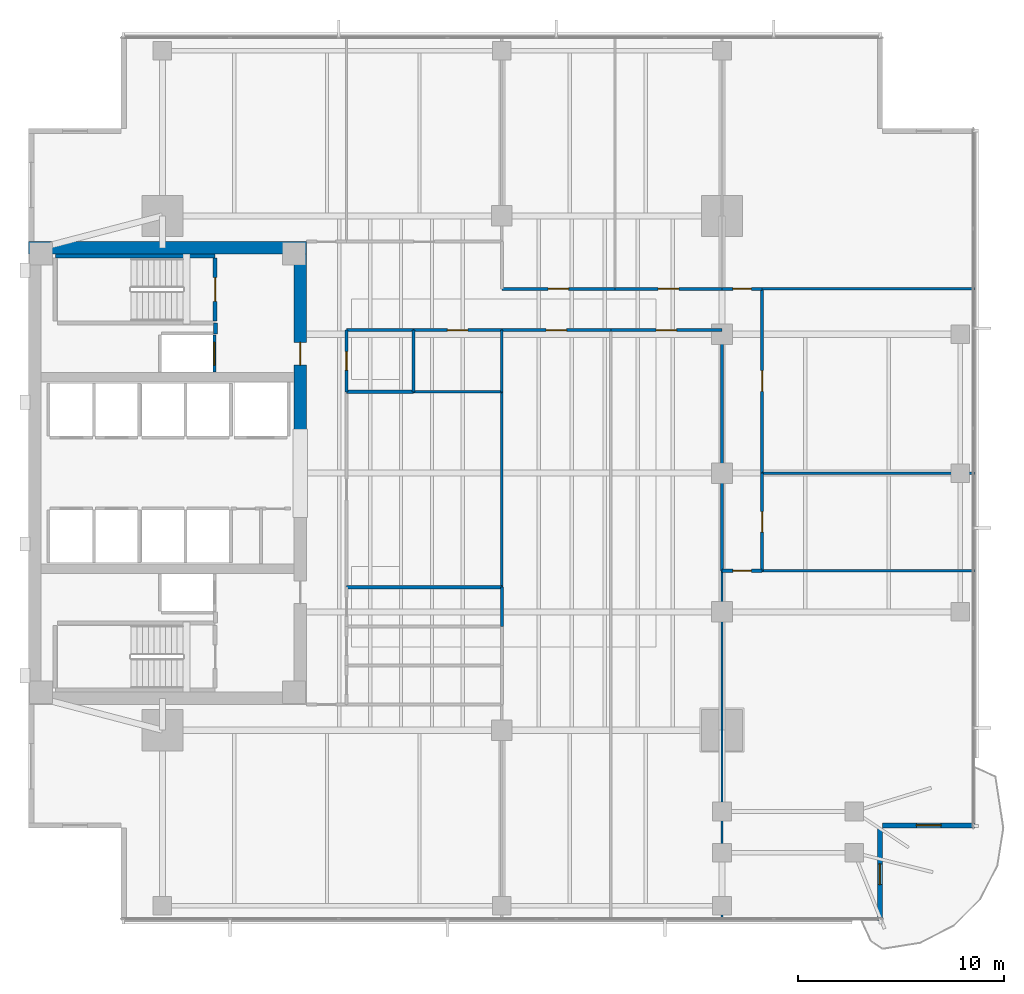
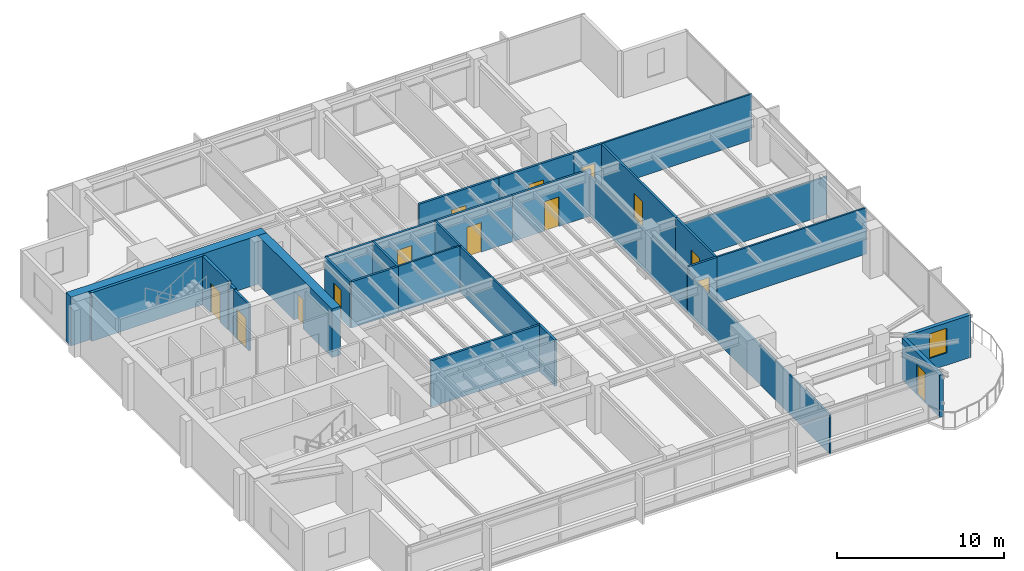
# One storey, part 9 of 14: 31 walls, 14 doors, 1 window, 15 openings.
"""IFC4 building model written with IfcOpenShell, lengths in metres."""

from ifc_helpers import new_model, si_unit, direction, frame, frame_2d, origin, place, context, subcontext, project, spatial, rectangle, extrude, material, layer, layer_set, type_object, element, fill, save


model = new_model("IFC4")

# Units and contexts
model_context = context("Model", 3, precision=1e-05, world=origin(), true_north=direction((0.0, 1.0)))
body_context = subcontext(model_context, "Body", "Model", "MODEL_VIEW")
ifc_project = project(units=[si_unit("LENGTHUNIT", "METRE"), si_unit("AREAUNIT", "SQUARE_METRE"), si_unit("VOLUMEUNIT", "CUBIC_METRE"), si_unit("PLANEANGLEUNIT", "RADIAN"), si_unit("MASSUNIT", "GRAM", prefix="KILO")], contexts=[model_context])

# Site, building, storey
site_placement = place(None, origin())
site = spatial("IfcSite", under=ifc_project, at=site_placement, CompositionType="ELEMENT")
building_placement = place(site_placement, origin())
building = spatial("IfcBuilding", under=site, at=building_placement, Name="Kinhvarn Gate Tower", CompositionType="ELEMENT")
storey_placement = place(building_placement, frame((0.0, 0.0, 116.449951171875)))
storey = spatial("IfcBuildingStorey", under=building, at=storey_placement, Name="L30", CompositionType="ELEMENT", Elevation=116.449951171875)

# Wall
ifc_material_1 = material(Name="Concrete C60/75", Category="concrete")
ifc_layer_1 = layer(ifc_material_1, 0.60009765625)
ifc_layer_set_1 = layer_set([ifc_layer_1], Name="Concrete C60/75")
wall_type_1 = type_object("IfcWallType", Name="WL-CORE-600", PredefinedType="SHEAR", material=ifc_layer_set_1)
wall_1_placement = place(storey_placement, frame((4.5, 36.199951171875, 0.0), z_axis=(0.0, 0.0, 1.0), x_axis=(1.0, 0.0, 0.0)))
element("IfcWall", 1, at=wall_1_placement, inside=storey, type_object=wall_type_1, Name="Core North Shear Wall L30 600 mm", PredefinedType="SHEAR", context=body_context, shape_type="SweptSolid", body=[
    extrude(rectangle(XDim=13.5, YDim=0.60009765625, at=frame_2d((6.75, 0.0))), origin(), (0.0, 0.0, 1.0), 3.550048828125),
])

# Wall, opening, door
wall_2_placement = place(storey_placement, frame((17.699951171875, 27.050048828125, 0.0), z_axis=(0.0, 0.0, 1.0), x_axis=(0.0, 1.0, 0.0)))
wall_2 = element("IfcWall", 2, at=wall_2_placement, inside=storey, type_object=wall_type_1, Name="Core East-North Shear Pier L30 600 mm", PredefinedType="SHEAR", context=body_context, shape_type="SweptSolid", body=[
    extrude(rectangle(XDim=8.849853515625, YDim=0.60009765625, at=frame_2d((4.4248046875, 0.0))), origin(), (0.0, 0.0, 1.0), 3.550048828125),
])
opening_1_placement = place(wall_2_placement, frame((3.449951171875, 0.0, 0.0)))
opening_1 = element("IfcOpeningElement", 3, at=opening_1_placement, cuts=wall_2, Name="Opening FD-02", PredefinedType="OPENING", context=body_context, shape_type="SweptSolid", body=[
    extrude(rectangle(XDim=1.10009765625, YDim=2.14990234375, at=frame_2d((0.550048828125, 1.074951171875))), frame((0.0, 0.31005859375, 0.0), z_axis=(0.0, -1.0, 0.0), x_axis=(1.0, 0.0, 0.0)), (0.0, 0.0, 1.0), 0.6201171875),
])
ifc_material_2 = material(Name="Anodised aluminium AW-6063", Category="aluminium")
door_type_1 = type_object("IfcDoorType", Name="DR-FD-1100", OperationType="NOTDEFINED", PredefinedType="DOOR", material=ifc_material_2)
door_1_placement = place(opening_1_placement, origin())
door_1 = element("IfcDoor", 4, at=door_1_placement, inside=storey, type_object=door_type_1, Name="Firefighting Lobby Core Door (L30)", OperationType="SINGLE_SWING_LEFT", OverallHeight=2.14990234375, OverallWidth=1.10009765625, PredefinedType="DOOR", context=body_context, shape_type="SweptSolid", body=[
    extrude(rectangle(XDim=1.10009765625, YDim=2.14990234375, at=frame_2d((0.550048828125, 1.074951171875))), frame((0.0, 0.02490234375, 0.0), z_axis=(0.0, -1.0, 0.0), x_axis=(1.0, 0.0, 0.0)), (0.0, 0.0, 1.0), 0.050048828125),
])
fill(opening_1, door_1)

ifc_material_3 = material(Name="Fired architectural terracotta", Category="masonry")
ifc_layer_2 = layer(ifc_material_3, 0.25)
ifc_layer_set_2 = layer_set([ifc_layer_2], Name="Fired architectural terracotta")
wall_type_2 = type_object("IfcWallType", Name="WL-EXT-250", PredefinedType="SOLIDWALL", material=ifc_layer_set_2)
wall_3_placement = place(storey_placement, frame((45.875, 3.5, 0.0), z_axis=(0.0, 0.0, 1.0), x_axis=(0.0, 1.0, 0.0)))
wall_3 = element("IfcWall", 5, at=wall_3_placement, inside=storey, type_object=wall_type_2, Name="Exterior Solidwall Wall EW-250 (L30 SE-Notch-Door)", PredefinedType="SOLIDWALL", context=body_context, shape_type="SweptSolid", body=[
    extrude(rectangle(XDim=4.5, YDim=0.25, at=frame_2d((2.25, 0.0))), origin(), (0.0, 0.0, 1.0), 3.070068359375),
])
opening_2_placement = place(wall_3_placement, frame((1.75, 0.0, 0.0)))
opening_2 = element("IfcOpeningElement", 6, at=opening_2_placement, cuts=wall_3, Name="Opening BD-01", PredefinedType="OPENING", context=body_context, shape_type="SweptSolid", body=[
    extrude(rectangle(XDim=1.0, YDim=2.199951171875, at=frame_2d((0.5, 1.10009765625))), frame((0.0, 0.135009765625, 0.0), z_axis=(0.0, -1.0, 0.0), x_axis=(1.0, 0.0, 0.0)), (0.0, 0.0, 1.0), 0.27001953125),
])
ifc_material_4 = material(Name="Clear low-e double glazing", Category="glass")
door_type_2 = type_object("IfcDoorType", Name="DR-BAL-1000", OperationType="NOTDEFINED", PredefinedType="DOOR", material=ifc_material_4)
door_2_placement = place(opening_2_placement, frame((1.0, 0.0, 0.0), z_axis=(0.0, 0.0, 1.0), x_axis=(-1.0, 0.0, 0.0)))
door_2 = element("IfcDoor", 7, at=door_2_placement, inside=storey, type_object=door_type_2, Name="S-Carve Balcony Door BD-01 (L30)", OperationType="SINGLE_SWING_LEFT", OverallHeight=2.199951171875, OverallWidth=1.0, PredefinedType="DOOR", context=body_context, shape_type="SweptSolid", body=[
    extrude(rectangle(XDim=1.0, YDim=2.199951171875, at=frame_2d((0.5, 1.10009765625))), frame((0.0, 0.02490234375, 0.0), z_axis=(0.0, -1.0, 0.0), x_axis=(1.0, 0.0, 0.0)), (0.0, 0.0, 1.0), 0.050048828125),
])
fill(opening_2, door_2)

# Wall, opening, window
wall_4_placement = place(storey_placement, frame((46.0, 8.125, 0.0), z_axis=(0.0, 0.0, 1.0), x_axis=(1.0, 0.0, 0.0)))
wall_4 = element("IfcWall", 8, at=wall_4_placement, inside=storey, type_object=wall_type_2, Name="Exterior Solidwall Wall EW-250 (L30 SE-Notch-Win)", PredefinedType="SOLIDWALL", context=body_context, shape_type="SweptSolid", body=[
    extrude(rectangle(XDim=4.5, YDim=0.25, at=frame_2d((2.25, 0.0))), origin(), (0.0, 0.0, 1.0), 3.10009765625),
])
opening_3_placement = place(wall_4_placement, frame((1.64990234375, 0.0, 0.89990234375)))
opening_3 = element("IfcOpeningElement", 9, at=opening_3_placement, cuts=wall_4, Name="Opening WN-02", PredefinedType="OPENING", context=body_context, shape_type="SweptSolid", body=[
    extrude(rectangle(XDim=1.199951171875, YDim=1.800048828125, at=frame_2d((0.60009765625, 0.89990234375))), frame((0.0, 0.135009765625, 0.0), z_axis=(0.0, -1.0, 0.0), x_axis=(1.0, 0.0, 0.0)), (0.0, 0.0, 1.0), 0.27001953125),
])
window_type = type_object("IfcWindowType", Name="WIN-NTC-1200", PartitioningType="SINGLE_PANEL", PredefinedType="WINDOW", material=ifc_material_4)
window_placement = place(opening_3_placement, origin())
window = element("IfcWindow", 10, at=window_placement, inside=storey, type_object=window_type, Name="Recessed Corner Notch Punched Window 1200x1800 mm (L30)", OverallHeight=1.800048828125, OverallWidth=1.199951171875, PartitioningType="SINGLE_PANEL", PredefinedType="WINDOW", context=body_context, shape_type="SweptSolid", body=[
    extrude(rectangle(XDim=1.199951171875, YDim=1.800048828125, at=frame_2d((0.60009765625, 0.89990234375))), frame((0.0, 0.030029296875, 0.0), z_axis=(0.0, -1.0, 0.0), x_axis=(1.0, 0.0, 0.0)), (0.0, 0.0, 1.0), 0.06005859375),
])
fill(opening_3, window)

# Walls
ifc_material_5 = material(Name="Gypsum acoustic partition board")
ifc_layer_3 = layer(ifc_material_5, 0.14990234375)
ifc_layer_set_3 = layer_set([ifc_layer_3], Name="Gypsum acoustic partition board")
wall_type_3 = type_object("IfcWallType", Name="WL-PLM-150", PredefinedType="PLUMBINGWALL", material=ifc_layer_set_3)
wall_5_placement = place(storey_placement, frame((23.199951171875, 29.199951171875, 0.0), z_axis=(0.0, 0.0, 1.0), x_axis=(0.0, 1.0, 0.0)))
element("IfcWall", 11, at=wall_5_placement, inside=storey, type_object=wall_type_3, Name="Interior Partition PLW-150 (L30)", PredefinedType="PLUMBINGWALL", context=body_context, shape_type="SweptSolid", body=[
    extrude(rectangle(XDim=3.0, YDim=0.14990234375, at=frame_2d((1.5, 0.0))), origin(), (0.0, 0.0, 1.0), 3.3701171875),
])
wall_6_placement = place(storey_placement, frame((19.949951171875, 29.199951171875, 0.0), z_axis=(0.0, 0.0, 1.0), x_axis=(1.0, 0.0, 0.0)))
element("IfcWall", 12, at=wall_6_placement, inside=storey, type_object=wall_type_3, Name="Interior Partition PLW-150 (L30)", PredefinedType="PLUMBINGWALL", context=body_context, shape_type="SweptSolid", body=[
    extrude(rectangle(XDim=3.25, YDim=0.14990234375, at=frame_2d((1.625, 0.0))), origin(), (0.0, 0.0, 1.0), 3.3701171875),
])
wall_7_placement = place(storey_placement, frame((19.949951171875, 19.699951171875, 0.0), z_axis=(0.0, 0.0, 1.0), x_axis=(1.0, 0.0, 0.0)))
element("IfcWall", 13, at=wall_7_placement, inside=storey, type_object=wall_type_3, Name="Interior Partition PLW-150 (L30)", PredefinedType="PLUMBINGWALL", context=body_context, shape_type="SweptSolid", body=[
    extrude(rectangle(XDim=7.550048828125, YDim=0.14990234375, at=frame_2d((3.77490234375, 0.0))), origin(), (0.0, 0.0, 1.0), 3.3701171875),
])
wall_8_placement = place(storey_placement, frame((27.5, 17.800048828125, 0.0), z_axis=(0.0, 0.0, 1.0), x_axis=(0.0, 1.0, 0.0)))
element("IfcWall", 14, at=wall_8_placement, inside=storey, type_object=wall_type_3, Name="Interior Partition PLW-150 (L30)", PredefinedType="PLUMBINGWALL", context=body_context, shape_type="SweptSolid", body=[
    extrude(rectangle(XDim=1.89990234375, YDim=0.14990234375, at=frame_2d((0.949951171875, 0.0))), origin(), (0.0, 0.0, 1.0), 3.3701171875),
])

# Wall, opening, door
ifc_layer_4 = layer(ifc_material_5, 0.14990234375)
ifc_layer_set_4 = layer_set([ifc_layer_4], Name="Gypsum acoustic partition board")
wall_type_4 = type_object("IfcWallType", Name="WL-PLM-150F", PredefinedType="PLUMBINGWALL", material=ifc_layer_set_4)
wall_9_placement = place(storey_placement, frame((19.949951171875, 29.199951171875, 0.0), z_axis=(0.0, 0.0, 1.0), x_axis=(0.0, 1.0, 0.0)))
wall_9 = element("IfcWall", 15, at=wall_9_placement, inside=storey, type_object=wall_type_4, Name="Interior Partition PLW-150F (L30)", PredefinedType="PLUMBINGWALL", context=body_context, shape_type="SweptSolid", body=[
    extrude(rectangle(XDim=3.0, YDim=0.14990234375, at=frame_2d((1.5, 0.0))), origin(), (0.0, 0.0, 1.0), 3.3701171875),
])
opening_4_placement = place(wall_9_placement, frame((1.050048828125, 0.0, 0.0)))
opening_4 = element("IfcOpeningElement", 16, at=opening_4_placement, cuts=wall_9, Name="Opening FD-04", PredefinedType="OPENING", context=body_context, shape_type="SweptSolid", body=[
    extrude(rectangle(XDim=0.89990234375, YDim=2.10009765625, at=frame_2d((0.449951171875, 1.050048828125))), frame((0.0, 0.0849609375, 0.0), z_axis=(0.0, -1.0, 0.0), x_axis=(1.0, 0.0, 0.0)), (0.0, 0.0, 1.0), 0.169921875),
])
door_type_3 = type_object("IfcDoorType", Name="DR-FD-900", OperationType="NOTDEFINED", PredefinedType="DOOR", material=ifc_material_2)
door_3_placement = place(opening_4_placement, origin())
door_3 = element("IfcDoor", 17, at=door_3_placement, inside=storey, type_object=door_type_3, Name="Rated Riser & Service Closet Fire Door 900x2100 mm (L30)", OperationType="SINGLE_SWING_RIGHT", OverallHeight=2.10009765625, OverallWidth=0.89990234375, PredefinedType="DOOR", context=body_context, shape_type="SweptSolid", body=[
    extrude(rectangle(XDim=0.89990234375, YDim=2.10009765625, at=frame_2d((0.449951171875, 1.050048828125))), frame((0.0, 0.02490234375, 0.0), z_axis=(0.0, -1.0, 0.0), x_axis=(1.0, 0.0, 0.0)), (0.0, 0.0, 1.0), 0.050048828125),
])
fill(opening_4, door_3)

# Walls
wall_10_placement = place(storey_placement, frame((19.949951171875, 32.199951171875, 0.0), z_axis=(0.0, 0.0, 1.0), x_axis=(1.0, 0.0, 0.0)))
element("IfcWall", 18, at=wall_10_placement, inside=storey, type_object=wall_type_4, Name="Interior Partition PLW-150F (L30)", PredefinedType="PLUMBINGWALL", context=body_context, shape_type="SweptSolid", body=[
    extrude(rectangle(XDim=3.25, YDim=0.14990234375, at=frame_2d((1.625, 0.0))), origin(), (0.0, 0.0, 1.0), 3.3701171875),
])
ifc_layer_5 = layer(ifc_material_5, 0.1201171875)
ifc_layer_set_5 = layer_set([ifc_layer_5], Name="Gypsum acoustic partition board")
wall_type_5 = type_object("IfcWallType", Name="WL-PRT-120", PredefinedType="PARTITIONING", material=ifc_layer_set_5)
wall_11_placement = place(storey_placement, frame((23.199951171875, 29.199951171875, 0.0), z_axis=(0.0, 0.0, 1.0), x_axis=(1.0, 0.0, 0.0)))
element("IfcWall", 19, at=wall_11_placement, inside=storey, type_object=wall_type_5, Name="Interior Partition PW-120 (L30)", PredefinedType="PARTITIONING", context=body_context, shape_type="SweptSolid", body=[
    extrude(rectangle(XDim=4.300048828125, YDim=0.1201171875, at=frame_2d((2.14990234375, 0.0))), origin(), (0.0, 0.0, 1.0), 3.3701171875),
])
wall_12_placement = place(storey_placement, frame((27.5, 29.199951171875, 0.0), z_axis=(0.0, 0.0, 1.0), x_axis=(0.0, 1.0, 0.0)))
element("IfcWall", 20, at=wall_12_placement, inside=storey, type_object=wall_type_5, Name="Interior Partition PW-120 (L30)", PredefinedType="PARTITIONING", context=body_context, shape_type="SweptSolid", body=[
    extrude(rectangle(XDim=3.0, YDim=0.1201171875, at=frame_2d((1.5, 0.0))), origin(), (0.0, 0.0, 1.0), 3.3701171875),
])
wall_13_placement = place(storey_placement, frame((27.5, 19.699951171875, 0.0), z_axis=(0.0, 0.0, 1.0), x_axis=(0.0, 1.0, 0.0)))
element("IfcWall", 21, at=wall_13_placement, inside=storey, type_object=wall_type_5, Name="Interior Partition PW-120 (L30)", PredefinedType="PARTITIONING", context=body_context, shape_type="SweptSolid", body=[
    extrude(rectangle(XDim=9.5, YDim=0.1201171875, at=frame_2d((4.75, 0.0))), origin(), (0.0, 0.0, 1.0), 3.3701171875),
])
wall_14_placement = place(storey_placement, frame((38.199951171875, 3.510009765625, 0.0), z_axis=(0.0, 0.0, 1.0), x_axis=(0.0, 1.0, 0.0)))
element("IfcWall", 22, at=wall_14_placement, inside=storey, type_object=wall_type_5, Name="Interior Partition PW-120 (L30)", PredefinedType="PARTITIONING", context=body_context, shape_type="SweptSolid", body=[
    extrude(rectangle(XDim=16.989990234375, YDim=0.1201171875, at=frame_2d((8.4951171875, 0.0))), origin(), (0.0, 0.0, 1.0), 2.8701171875),
])
wall_15_placement = place(storey_placement, frame((40.14990234375, 20.5, 0.0), z_axis=(0.0, 0.0, 1.0), x_axis=(1.0, 0.0, 0.0)))
element("IfcWall", 23, at=wall_15_placement, inside=storey, type_object=wall_type_5, Name="Interior Partition PW-120 (L30)", PredefinedType="PARTITIONING", context=body_context, shape_type="SweptSolid", body=[
    extrude(rectangle(XDim=10.340087890625, YDim=0.1201171875, at=frame_2d((5.169921875, 0.0))), origin(), (0.0, 0.0, 1.0), 3.3701171875),
])
wall_16_placement = place(storey_placement, frame((40.14990234375, 25.25, 0.0), z_axis=(0.0, 0.0, 1.0), x_axis=(1.0, 0.0, 0.0)))
element("IfcWall", 24, at=wall_16_placement, inside=storey, type_object=wall_type_5, Name="Interior Partition PW-120 (L30)", PredefinedType="PARTITIONING", context=body_context, shape_type="SweptSolid", body=[
    extrude(rectangle(XDim=10.340087890625, YDim=0.1201171875, at=frame_2d((5.169921875, 0.0))), origin(), (0.0, 0.0, 1.0), 2.77001953125),
])
wall_17_placement = place(storey_placement, frame((40.14990234375, 34.199951171875, 0.0), z_axis=(0.0, 0.0, 1.0), x_axis=(1.0, 0.0, 0.0)))
element("IfcWall", 25, at=wall_17_placement, inside=storey, type_object=wall_type_5, Name="Interior Partition PW-120 (L30)", PredefinedType="PARTITIONING", context=body_context, shape_type="SweptSolid", body=[
    extrude(rectangle(XDim=10.340087890625, YDim=0.1201171875, at=frame_2d((5.169921875, 0.0))), origin(), (0.0, 0.0, 1.0), 3.3701171875),
])

# Wall, opening, door
ifc_layer_6 = layer(ifc_material_5, 0.14990234375)
ifc_layer_set_6 = layer_set([ifc_layer_6], Name="Gypsum acoustic partition board")
wall_type_6 = type_object("IfcWallType", Name="WL-PRT-150F", PredefinedType="PARTITIONING", material=ifc_layer_set_6)
wall_18_placement = place(storey_placement, frame((23.199951171875, 32.199951171875, 0.0), z_axis=(0.0, 0.0, 1.0), x_axis=(1.0, 0.0, 0.0)))
wall_18 = element("IfcWall", 26, at=wall_18_placement, inside=storey, type_object=wall_type_6, Name="Interior Partition PW-150F (L30)", PredefinedType="PARTITIONING", context=body_context, shape_type="SweptSolid", body=[
    extrude(rectangle(XDim=4.300048828125, YDim=0.14990234375, at=frame_2d((2.14990234375, 0.0))), origin(), (0.0, 0.0, 1.0), 3.3701171875),
])
opening_5_placement = place(wall_18_placement, frame((1.64990234375, 0.0, 0.0)))
opening_5 = element("IfcOpeningElement", 27, at=opening_5_placement, cuts=wall_18, Name="Opening ID-02", PredefinedType="OPENING", context=body_context, shape_type="SweptSolid", body=[
    extrude(rectangle(XDim=1.0, YDim=2.14990234375, at=frame_2d((0.5, 1.074951171875))), frame((0.0, 0.0849609375, 0.0), z_axis=(0.0, -1.0, 0.0), x_axis=(1.0, 0.0, 0.0)), (0.0, 0.0, 1.0), 0.169921875),
])
door_type_4 = type_object("IfcDoorType", Name="DR-INT-1000", OperationType="NOTDEFINED", PredefinedType="DOOR", material=ifc_material_2)
door_4_placement = place(opening_5_placement, origin())
door_4 = element("IfcDoor", 28, at=door_4_placement, inside=storey, type_object=door_type_4, Name="Standard Office & Meeting Room Door 1000x2150 mm (L30)", OperationType="SINGLE_SWING_LEFT", OverallHeight=2.14990234375, OverallWidth=1.0, PredefinedType="DOOR", context=body_context, shape_type="SweptSolid", body=[
    extrude(rectangle(XDim=1.0, YDim=2.14990234375, at=frame_2d((0.5, 1.074951171875))), frame((0.0, 0.02490234375, 0.0), z_axis=(0.0, -1.0, 0.0), x_axis=(1.0, 0.0, 0.0)), (0.0, 0.0, 1.0), 0.050048828125),
])
fill(opening_5, door_4)

wall_19_placement = place(storey_placement, frame((27.5, 32.199951171875, 0.0), z_axis=(0.0, 0.0, 1.0), x_axis=(1.0, 0.0, 0.0)))
wall_19 = element("IfcWall", 29, at=wall_19_placement, inside=storey, type_object=wall_type_6, Name="Interior Partition PW-150F (L30)", PredefinedType="PARTITIONING", context=body_context, shape_type="SweptSolid", body=[
    extrude(rectangle(XDim=5.300048828125, YDim=0.14990234375, at=frame_2d((2.64990234375, 0.0))), origin(), (0.0, 0.0, 1.0), 3.3701171875),
])
opening_6_placement = place(wall_19_placement, frame((2.14990234375, 0.0, 0.0)))
opening_6 = element("IfcOpeningElement", 30, at=opening_6_placement, cuts=wall_19, Name="Opening ID-02", PredefinedType="OPENING", context=body_context, shape_type="SweptSolid", body=[
    extrude(rectangle(XDim=1.0, YDim=2.14990234375, at=frame_2d((0.5, 1.074951171875))), frame((0.0, 0.0849609375, 0.0), z_axis=(0.0, -1.0, 0.0), x_axis=(1.0, 0.0, 0.0)), (0.0, 0.0, 1.0), 0.169921875),
])
door_5_placement = place(opening_6_placement, origin())
door_5 = element("IfcDoor", 31, at=door_5_placement, inside=storey, type_object=door_type_4, Name="Standard Office & Meeting Room Door 1000x2150 mm (L30)", OperationType="SINGLE_SWING_RIGHT", OverallHeight=2.14990234375, OverallWidth=1.0, PredefinedType="DOOR", context=body_context, shape_type="SweptSolid", body=[
    extrude(rectangle(XDim=1.0, YDim=2.14990234375, at=frame_2d((0.5, 1.074951171875))), frame((0.0, 0.02490234375, 0.0), z_axis=(0.0, -1.0, 0.0), x_axis=(1.0, 0.0, 0.0)), (0.0, 0.0, 1.0), 0.050048828125),
])
fill(opening_6, door_5)

wall_20_placement = place(storey_placement, frame((32.800048828125, 32.199951171875, 0.0), z_axis=(0.0, 0.0, 1.0), x_axis=(1.0, 0.0, 0.0)))
wall_20 = element("IfcWall", 32, at=wall_20_placement, inside=storey, type_object=wall_type_6, Name="Interior Partition PW-150F (L30)", PredefinedType="PARTITIONING", context=body_context, shape_type="SweptSolid", body=[
    extrude(rectangle(XDim=5.39990234375, YDim=0.14990234375, at=frame_2d((2.699951171875, 0.0))), origin(), (0.0, 0.0, 1.0), 3.3701171875),
])
opening_7_placement = place(wall_20_placement, frame((2.199951171875, 0.0, 0.0)))
opening_7 = element("IfcOpeningElement", 33, at=opening_7_placement, cuts=wall_20, Name="Opening ID-02", PredefinedType="OPENING", context=body_context, shape_type="SweptSolid", body=[
    extrude(rectangle(XDim=1.0, YDim=2.14990234375, at=frame_2d((0.5, 1.074951171875))), frame((0.0, 0.0849609375, 0.0), z_axis=(0.0, -1.0, 0.0), x_axis=(1.0, 0.0, 0.0)), (0.0, 0.0, 1.0), 0.169921875),
])
door_6_placement = place(opening_7_placement, origin())
door_6 = element("IfcDoor", 34, at=door_6_placement, inside=storey, type_object=door_type_4, Name="Standard Office & Meeting Room Door 1000x2150 mm (L30)", OperationType="SINGLE_SWING_LEFT", OverallHeight=2.14990234375, OverallWidth=1.0, PredefinedType="DOOR", context=body_context, shape_type="SweptSolid", body=[
    extrude(rectangle(XDim=1.0, YDim=2.14990234375, at=frame_2d((0.5, 1.074951171875))), frame((0.0, 0.02490234375, 0.0), z_axis=(0.0, -1.0, 0.0), x_axis=(1.0, 0.0, 0.0)), (0.0, 0.0, 1.0), 0.050048828125),
])
fill(opening_7, door_6)

wall_21_placement = place(storey_placement, frame((27.5, 34.199951171875, 0.0), z_axis=(0.0, 0.0, 1.0), x_axis=(1.0, 0.0, 0.0)))
wall_21 = element("IfcWall", 35, at=wall_21_placement, inside=storey, type_object=wall_type_6, Name="Interior Partition PW-150F (L30)", PredefinedType="PARTITIONING", context=body_context, shape_type="SweptSolid", body=[
    extrude(rectangle(XDim=5.5, YDim=0.14990234375, at=frame_2d((2.75, 0.0))), origin(), (0.0, 0.0, 1.0), 3.3701171875),
])
opening_8_placement = place(wall_21_placement, frame((2.25, 0.0, 0.0)))
opening_8 = element("IfcOpeningElement", 36, at=opening_8_placement, cuts=wall_21, Name="Opening ID-02", PredefinedType="OPENING", context=body_context, shape_type="SweptSolid", body=[
    extrude(rectangle(XDim=1.0, YDim=2.14990234375, at=frame_2d((0.5, 1.074951171875))), frame((0.0, 0.0849609375, 0.0), z_axis=(0.0, -1.0, 0.0), x_axis=(1.0, 0.0, 0.0)), (0.0, 0.0, 1.0), 0.169921875),
])
door_7_placement = place(opening_8_placement, origin())
door_7 = element("IfcDoor", 37, at=door_7_placement, inside=storey, type_object=door_type_4, Name="Standard Office & Meeting Room Door 1000x2150 mm (L30)", OperationType="SINGLE_SWING_RIGHT", OverallHeight=2.14990234375, OverallWidth=1.0, PredefinedType="DOOR", context=body_context, shape_type="SweptSolid", body=[
    extrude(rectangle(XDim=1.0, YDim=2.14990234375, at=frame_2d((0.5, 1.074951171875))), frame((0.0, 0.02490234375, 0.0), z_axis=(0.0, -1.0, 0.0), x_axis=(1.0, 0.0, 0.0)), (0.0, 0.0, 1.0), 0.050048828125),
])
fill(opening_8, door_7)

wall_22_placement = place(storey_placement, frame((33.0, 34.199951171875, 0.0), z_axis=(0.0, 0.0, 1.0), x_axis=(1.0, 0.0, 0.0)))
wall_22 = element("IfcWall", 38, at=wall_22_placement, inside=storey, type_object=wall_type_6, Name="Interior Partition PW-150F (L30)", PredefinedType="PARTITIONING", context=body_context, shape_type="SweptSolid", body=[
    extrude(rectangle(XDim=5.199951171875, YDim=0.14990234375, at=frame_2d((2.60009765625, 0.0))), origin(), (0.0, 0.0, 1.0), 3.3701171875),
])
opening_9_placement = place(wall_22_placement, frame((2.10009765625, 0.0, 0.0)))
opening_9 = element("IfcOpeningElement", 39, at=opening_9_placement, cuts=wall_22, Name="Opening ID-02", PredefinedType="OPENING", context=body_context, shape_type="SweptSolid", body=[
    extrude(rectangle(XDim=1.0, YDim=2.14990234375, at=frame_2d((0.5, 1.074951171875))), frame((0.0, 0.0849609375, 0.0), z_axis=(0.0, -1.0, 0.0), x_axis=(1.0, 0.0, 0.0)), (0.0, 0.0, 1.0), 0.169921875),
])
door_8_placement = place(opening_9_placement, origin())
door_8 = element("IfcDoor", 40, at=door_8_placement, inside=storey, type_object=door_type_4, Name="Standard Office & Meeting Room Door 1000x2150 mm (L30)", OperationType="SINGLE_SWING_LEFT", OverallHeight=2.14990234375, OverallWidth=1.0, PredefinedType="DOOR", context=body_context, shape_type="SweptSolid", body=[
    extrude(rectangle(XDim=1.0, YDim=2.14990234375, at=frame_2d((0.5, 1.074951171875))), frame((0.0, 0.02490234375, 0.0), z_axis=(0.0, -1.0, 0.0), x_axis=(1.0, 0.0, 0.0)), (0.0, 0.0, 1.0), 0.050048828125),
])
fill(opening_9, door_8)

# Wall
wall_23_placement = place(storey_placement, frame((38.199951171875, 20.5, 0.0), z_axis=(0.0, 0.0, 1.0), x_axis=(0.0, 1.0, 0.0)))
element("IfcWall", 41, at=wall_23_placement, inside=storey, type_object=wall_type_6, Name="Interior Partition PW-150F (L30)", PredefinedType="PARTITIONING", context=body_context, shape_type="SweptSolid", body=[
    extrude(rectangle(XDim=11.699951171875, YDim=0.14990234375, at=frame_2d((5.85009765625, 0.0))), origin(), (0.0, 0.0, 1.0), 2.8701171875),
])

# Wall, opening, door
wall_24_placement = place(storey_placement, frame((38.199951171875, 20.5, 0.0), z_axis=(0.0, 0.0, 1.0), x_axis=(1.0, 0.0, 0.0)))
wall_24 = element("IfcWall", 42, at=wall_24_placement, inside=storey, type_object=wall_type_6, Name="Interior Partition PW-150F (L30)", PredefinedType="PARTITIONING", context=body_context, shape_type="SweptSolid", body=[
    extrude(rectangle(XDim=1.949951171875, YDim=0.14990234375, at=frame_2d((0.97509765625, 0.0))), origin(), (0.0, 0.0, 1.0), 3.3701171875),
])
opening_10_placement = place(wall_24_placement, frame((0.52490234375, 0.0, 0.0)))
opening_10 = element("IfcOpeningElement", 43, at=opening_10_placement, cuts=wall_24, Name="Opening ID-03", PredefinedType="OPENING", context=body_context, shape_type="SweptSolid", body=[
    extrude(rectangle(XDim=0.89990234375, YDim=2.10009765625, at=frame_2d((0.449951171875, 1.050048828125))), frame((0.0, 0.0849609375, 0.0), z_axis=(0.0, -1.0, 0.0), x_axis=(1.0, 0.0, 0.0)), (0.0, 0.0, 1.0), 0.169921875),
])
door_type_5 = type_object("IfcDoorType", Name="DR-INT-900", OperationType="NOTDEFINED", PredefinedType="DOOR", material=ifc_material_2)
door_9_placement = place(opening_10_placement, origin())
door_9 = element("IfcDoor", 44, at=door_9_placement, inside=storey, type_object=door_type_5, Name="Cellular Office & Restroom Door 900x2100 mm (L30)", OperationType="SINGLE_SWING_LEFT", OverallHeight=2.10009765625, OverallWidth=0.89990234375, PredefinedType="DOOR", context=body_context, shape_type="SweptSolid", body=[
    extrude(rectangle(XDim=0.89990234375, YDim=2.10009765625, at=frame_2d((0.449951171875, 1.050048828125))), frame((0.0, 0.02490234375, 0.0), z_axis=(0.0, -1.0, 0.0), x_axis=(1.0, 0.0, 0.0)), (0.0, 0.0, 1.0), 0.050048828125),
])
fill(opening_10, door_9)

wall_25_placement = place(storey_placement, frame((40.14990234375, 20.5, 0.0), z_axis=(0.0, 0.0, 1.0), x_axis=(0.0, 1.0, 0.0)))
wall_25 = element("IfcWall", 45, at=wall_25_placement, inside=storey, type_object=wall_type_6, Name="Interior Partition PW-150F (L30)", PredefinedType="PARTITIONING", context=body_context, shape_type="SweptSolid", body=[
    extrude(rectangle(XDim=4.75, YDim=0.14990234375, at=frame_2d((2.375, 0.0))), origin(), (0.0, 0.0, 1.0), 3.3701171875),
])
opening_11_placement = place(wall_25_placement, frame((1.875, 0.0, 0.0)))
opening_11 = element("IfcOpeningElement", 46, at=opening_11_placement, cuts=wall_25, Name="Opening ID-02", PredefinedType="OPENING", context=body_context, shape_type="SweptSolid", body=[
    extrude(rectangle(XDim=1.0, YDim=2.14990234375, at=frame_2d((0.5, 1.074951171875))), frame((0.0, 0.0849609375, 0.0), z_axis=(0.0, -1.0, 0.0), x_axis=(1.0, 0.0, 0.0)), (0.0, 0.0, 1.0), 0.169921875),
])
door_10_placement = place(opening_11_placement, origin())
door_10 = element("IfcDoor", 47, at=door_10_placement, inside=storey, type_object=door_type_4, Name="Standard Office & Meeting Room Door 1000x2150 mm (L30)", OperationType="SINGLE_SWING_RIGHT", OverallHeight=2.14990234375, OverallWidth=1.0, PredefinedType="DOOR", context=body_context, shape_type="SweptSolid", body=[
    extrude(rectangle(XDim=1.0, YDim=2.14990234375, at=frame_2d((0.5, 1.074951171875))), frame((0.0, 0.02490234375, 0.0), z_axis=(0.0, -1.0, 0.0), x_axis=(1.0, 0.0, 0.0)), (0.0, 0.0, 1.0), 0.050048828125),
])
fill(opening_11, door_10)

wall_26_placement = place(storey_placement, frame((40.14990234375, 25.25, 0.0), z_axis=(0.0, 0.0, 1.0), x_axis=(0.0, 1.0, 0.0)))
wall_26 = element("IfcWall", 48, at=wall_26_placement, inside=storey, type_object=wall_type_6, Name="Interior Partition PW-150F (L30)", PredefinedType="PARTITIONING", context=body_context, shape_type="SweptSolid", body=[
    extrude(rectangle(XDim=8.949951171875, YDim=0.14990234375, at=frame_2d((4.47509765625, 0.0))), origin(), (0.0, 0.0, 1.0), 3.3701171875),
])
opening_12_placement = place(wall_26_placement, frame((3.97509765625, 0.0, 0.0)))
opening_12 = element("IfcOpeningElement", 49, at=opening_12_placement, cuts=wall_26, Name="Opening ID-02", PredefinedType="OPENING", context=body_context, shape_type="SweptSolid", body=[
    extrude(rectangle(XDim=1.0, YDim=2.14990234375, at=frame_2d((0.5, 1.074951171875))), frame((0.0, 0.0849609375, 0.0), z_axis=(0.0, -1.0, 0.0), x_axis=(1.0, 0.0, 0.0)), (0.0, 0.0, 1.0), 0.169921875),
])
door_11_placement = place(opening_12_placement, origin())
door_11 = element("IfcDoor", 50, at=door_11_placement, inside=storey, type_object=door_type_4, Name="Standard Office & Meeting Room Door 1000x2150 mm (L30)", OperationType="SINGLE_SWING_LEFT", OverallHeight=2.14990234375, OverallWidth=1.0, PredefinedType="DOOR", context=body_context, shape_type="SweptSolid", body=[
    extrude(rectangle(XDim=1.0, YDim=2.14990234375, at=frame_2d((0.5, 1.074951171875))), frame((0.0, 0.02490234375, 0.0), z_axis=(0.0, -1.0, 0.0), x_axis=(1.0, 0.0, 0.0)), (0.0, 0.0, 1.0), 0.050048828125),
])
fill(opening_12, door_11)

wall_27_placement = place(storey_placement, frame((38.199951171875, 34.199951171875, 0.0), z_axis=(0.0, 0.0, 1.0), x_axis=(1.0, 0.0, 0.0)))
wall_27 = element("IfcWall", 51, at=wall_27_placement, inside=storey, type_object=wall_type_6, Name="Interior Partition PW-150F (L30)", PredefinedType="PARTITIONING", context=body_context, shape_type="SweptSolid", body=[
    extrude(rectangle(XDim=1.949951171875, YDim=0.14990234375, at=frame_2d((0.97509765625, 0.0))), origin(), (0.0, 0.0, 1.0), 3.3701171875),
])
opening_13_placement = place(wall_27_placement, frame((0.52490234375, 0.0, 0.0)))
opening_13 = element("IfcOpeningElement", 52, at=opening_13_placement, cuts=wall_27, Name="Opening ID-03", PredefinedType="OPENING", context=body_context, shape_type="SweptSolid", body=[
    extrude(rectangle(XDim=0.89990234375, YDim=2.10009765625, at=frame_2d((0.449951171875, 1.050048828125))), frame((0.0, 0.0849609375, 0.0), z_axis=(0.0, -1.0, 0.0), x_axis=(1.0, 0.0, 0.0)), (0.0, 0.0, 1.0), 0.169921875),
])
door_12_placement = place(opening_13_placement, origin())
door_12 = element("IfcDoor", 53, at=door_12_placement, inside=storey, type_object=door_type_5, Name="Cellular Office & Restroom Door 900x2100 mm (L30)", OperationType="SINGLE_SWING_RIGHT", OverallHeight=2.10009765625, OverallWidth=0.89990234375, PredefinedType="DOOR", context=body_context, shape_type="SweptSolid", body=[
    extrude(rectangle(XDim=0.89990234375, YDim=2.10009765625, at=frame_2d((0.449951171875, 1.050048828125))), frame((0.0, 0.02490234375, 0.0), z_axis=(0.0, -1.0, 0.0), x_axis=(1.0, 0.0, 0.0)), (0.0, 0.0, 1.0), 0.050048828125),
])
fill(opening_13, door_12)

# Wall
ifc_layer_7 = layer(ifc_material_5, 0.199951171875)
ifc_layer_set_7 = layer_set([ifc_layer_7], Name="Gypsum acoustic partition board")
wall_type_7 = type_object("IfcWallType", Name="WL-PRT-200", PredefinedType="PARTITIONING", material=ifc_layer_set_7)
wall_28_placement = place(storey_placement, frame((13.580078125, 32.0, 0.0), z_axis=(0.0, 0.0, 1.0), x_axis=(0.0, 1.0, 0.0)))
element("IfcWall", 54, at=wall_28_placement, inside=storey, type_object=wall_type_7, Name="Interior Partition PW-200 (L30)", PredefinedType="PARTITIONING", context=body_context, shape_type="SweptSolid", body=[
    extrude(rectangle(XDim=0.5400390625, YDim=0.199951171875, at=frame_2d((0.27001953125, 0.0))), origin(), (0.0, 0.0, 1.0), 3.3701171875),
])

# Wall, opening, door
ifc_layer_8 = layer(ifc_material_5, 0.14990234375)
ifc_layer_set_8 = layer_set([ifc_layer_8], Name="Gypsum acoustic partition board")
wall_type_8 = type_object("IfcWallType", Name="WL-SHF-150", PredefinedType="PARTITIONING", material=ifc_layer_set_8)
wall_29_placement = place(storey_placement, frame((13.52490234375, 30.14990234375, 0.0), z_axis=(0.0, 0.0, 1.0), x_axis=(0.0, 1.0, 0.0)))
wall_29 = element("IfcWall", 55, at=wall_29_placement, inside=storey, type_object=wall_type_8, Name="Elevator FF2 Landing Wall (L30)", PredefinedType="PARTITIONING", context=body_context, shape_type="SweptSolid", body=[
    extrude(rectangle(XDim=1.800048828125, YDim=0.14990234375, at=frame_2d((0.89990234375, 0.0))), origin(), (0.0, 0.0, 1.0), 3.3701171875),
])
opening_14_placement = place(wall_29_placement, frame((0.35009765625, 0.0, 0.0)))
opening_14 = element("IfcOpeningElement", 56, at=opening_14_placement, cuts=wall_29, Name="Opening LD-03", PredefinedType="OPENING", context=body_context, shape_type="SweptSolid", body=[
    extrude(rectangle(XDim=1.10009765625, YDim=2.199951171875, at=frame_2d((0.550048828125, 1.10009765625))), frame((0.0, 0.0849609375, 0.0), z_axis=(0.0, -1.0, 0.0), x_axis=(1.0, 0.0, 0.0)), (0.0, 0.0, 1.0), 0.169921875),
])
door_type_6 = type_object("IfcDoorType", Name="DR-LND-FF", OperationType="NOTDEFINED", PredefinedType="DOOR", material=ifc_material_2)
door_13_placement = place(opening_14_placement, origin())
door_13 = element("IfcDoor", 57, at=door_13_placement, inside=storey, type_object=door_type_6, Name="Elevator FF2 Sliding Landing Door (L30)", OperationType="DOUBLE_DOOR_SLIDING", OverallHeight=2.199951171875, OverallWidth=1.10009765625, PredefinedType="DOOR", context=body_context, shape_type="SweptSolid", body=[
    extrude(rectangle(XDim=1.10009765625, YDim=2.199951171875, at=frame_2d((0.550048828125, 1.10009765625))), frame((0.0, 0.02490234375, 0.0), z_axis=(0.0, -1.0, 0.0), x_axis=(1.0, 0.0, 0.0)), (0.0, 0.0, 1.0), 0.050048828125),
])
fill(opening_14, door_13)

# Wall
ifc_material_6 = material(Name="Concrete C40/50", Category="concrete")
ifc_layer_9 = layer(ifc_material_6, 0.199951171875)
ifc_layer_set_9 = layer_set([ifc_layer_9], Name="Concrete C40/50")
wall_type_9 = type_object("IfcWallType", Name="WL-SHF-200", PredefinedType="SOLIDWALL", material=ifc_layer_set_9)
wall_30_placement = place(storey_placement, frame((5.800048828125, 35.800048828125, 0.0), z_axis=(0.0, 0.0, 1.0), x_axis=(1.0, 0.0, 0.0)))
element("IfcWall", 58, at=wall_30_placement, inside=storey, type_object=wall_type_9, Name="Stair ST2 North Shaft Wall (L30)", PredefinedType="SOLIDWALL", context=body_context, shape_type="SweptSolid", body=[
    extrude(rectangle(XDim=7.75, YDim=0.199951171875, at=frame_2d((3.875, 0.0))), origin(), (0.0, 0.0, 1.0), 3.550048828125),
])

# Wall, opening, door
wall_31_placement = place(storey_placement, frame((13.56005859375, 32.64990234375, 0.0), z_axis=(0.0, 0.0, 1.0), x_axis=(0.0, 1.0, 0.0)))
wall_31 = element("IfcWall", 59, at=wall_31_placement, inside=storey, type_object=wall_type_9, Name="Stair ST2 East Entry Wall (L30)", PredefinedType="SOLIDWALL", context=body_context, shape_type="SweptSolid", body=[
    extrude(rectangle(XDim=3.050048828125, YDim=0.199951171875, at=frame_2d((1.52490234375, 0.0))), origin(), (0.0, 0.0, 1.0), 3.550048828125),
])
opening_15_placement = place(wall_31_placement, frame((0.949951171875, 0.0, 0.0)))
opening_15 = element("IfcOpeningElement", 60, at=opening_15_placement, cuts=wall_31, Name="Opening FD-01", PredefinedType="OPENING", context=body_context, shape_type="SweptSolid", body=[
    extrude(rectangle(XDim=1.14990234375, YDim=2.14990234375, at=frame_2d((0.574951171875, 1.074951171875))), frame((0.0, 0.10986328125, 0.0), z_axis=(0.0, -1.0, 0.0), x_axis=(1.0, 0.0, 0.0)), (0.0, 0.0, 1.0), 0.219970703125),
])
door_type_7 = type_object("IfcDoorType", Name="DR-ST-1150", OperationType="NOTDEFINED", PredefinedType="DOOR", material=ifc_material_2)
door_14_placement = place(opening_15_placement, origin())
door_14 = element("IfcDoor", 61, at=door_14_placement, inside=storey, type_object=door_type_7, Name="Exit Stair ST2 Fire Door (L30)", OperationType="SINGLE_SWING_LEFT", OverallHeight=2.14990234375, OverallWidth=1.14990234375, PredefinedType="DOOR", context=body_context, shape_type="SweptSolid", body=[
    extrude(rectangle(XDim=1.14990234375, YDim=2.14990234375, at=frame_2d((0.574951171875, 1.074951171875))), frame((0.0, 0.02490234375, 0.0), z_axis=(0.0, -1.0, 0.0), x_axis=(1.0, 0.0, 0.0)), (0.0, 0.0, 1.0), 0.050048828125),
])
fill(opening_15, door_14)

save(model, "model.ifc")
